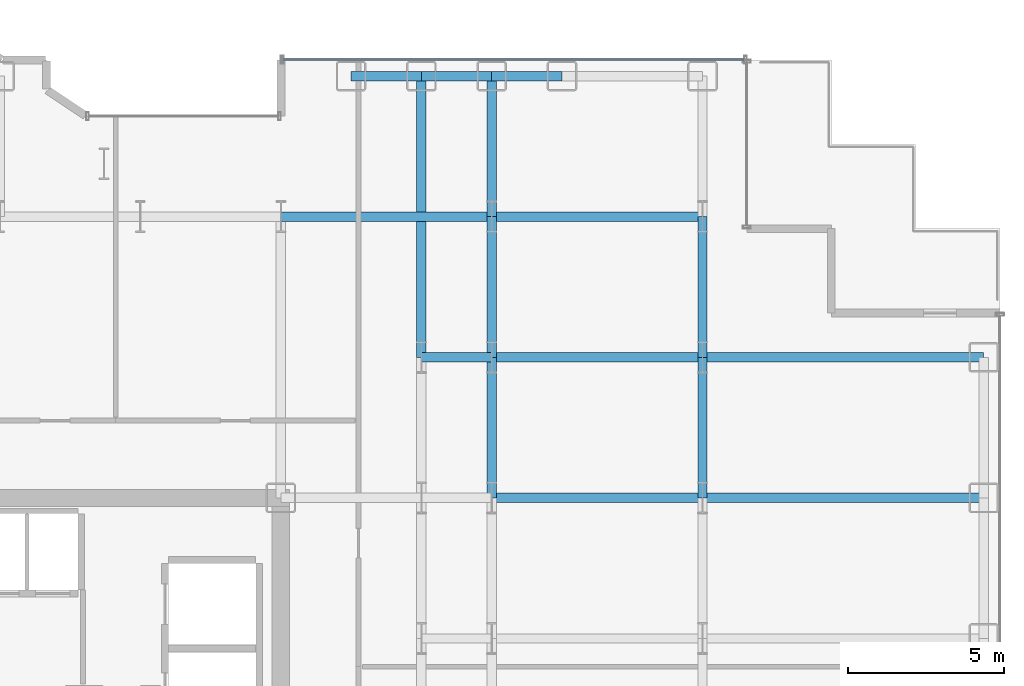
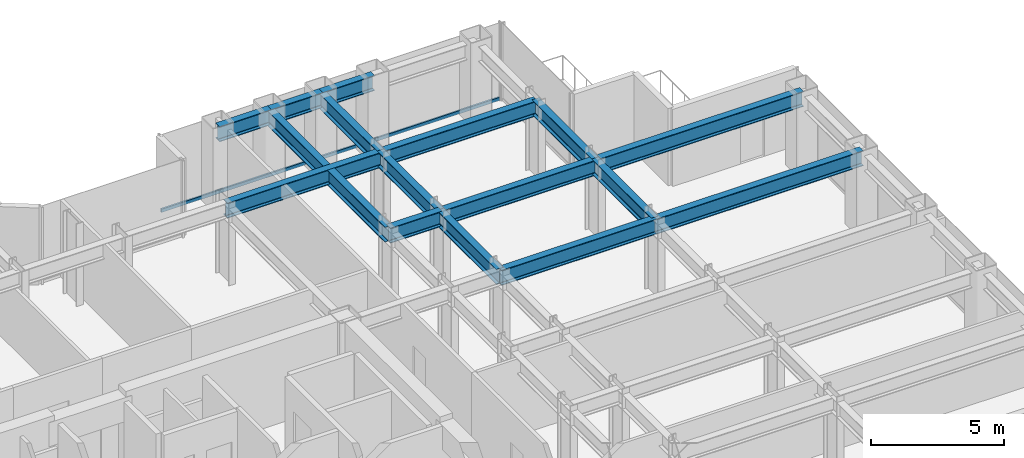
# One storey, part 13 of 26: 16 beams, 1 member, 1 element without a shape of its own.
"""IFC4 building model written with IfcOpenShell, lengths in metres."""

from ifc_helpers import new_model, si_unit, direction, frame, origin, origin_2d, place, context, subcontext, project, spatial, hollow_rectangle, i_section, extrude, source, transform, mapped, material, layer, layer_set, material_profile, profile_set, type_object, element, aggregate, save


model = new_model("IFC4")

# Units and contexts
model_context = context("Model", 3, precision=1e-05, world=origin(), true_north=direction((0.0, 1.0)))
body_context = subcontext(model_context, "Body", "Model", "MODEL_VIEW")
ifc_project = project(units=[si_unit("LENGTHUNIT", "METRE"), si_unit("AREAUNIT", "SQUARE_METRE"), si_unit("VOLUMEUNIT", "CUBIC_METRE"), si_unit("PLANEANGLEUNIT", "RADIAN"), si_unit("MASSUNIT", "GRAM", prefix="KILO")], contexts=[model_context])

# Site, building, storey
site_placement = place(None, origin())
site = spatial("IfcSite", under=ifc_project, at=site_placement, CompositionType="ELEMENT")
building_placement = place(site_placement, origin())
building = spatial("IfcBuilding", under=site, at=building_placement, Name="Nefas-Gora Pilgrimage Tower", CompositionType="ELEMENT")
storey_placement = place(building_placement, frame((0.0, 0.0, 106.0)))
storey = spatial("IfcBuildingStorey", under=building, at=storey_placement, Name="L25", CompositionType="ELEMENT", Elevation=106.0)

# Beams
ifc_material_1 = material(Name="Steel S355", Category="steel")
ifc_material_profile_1 = material_profile(ifc_material_1, i_section(OverallWidth=0.300048828125, OverallDepth=0.699951171875, WebThickness=0.01708984375, FlangeThickness=0.031982421875, FilletRadius=0.027099609375, at=origin_2d()), Name="HEB 700")
ifc_profile_set_1 = profile_set([ifc_material_profile_1], Name="Steel S355")
beam_type_1 = type_object("IfcBeamType", Name="BM-GIR-HEB700", PredefinedType="BEAM", material=ifc_profile_set_1)
shared_shape_1 = source(origin(), body_context, "Body", "SweptSolid", [
    extrude(i_section(OverallWidth=0.300048828125, OverallDepth=0.699951171875, WebThickness=0.01708984375, FlangeThickness=0.031982421875, FilletRadius=0.027099609375, at=origin_2d()), origin(), (0.0, 0.0, 1.0), 9.0),
])
for number, where, z_axis, x_axis, name in (
    (1, (15.75, 13.5, 3.199951171875), (0.0, 1.0, 0.0), (-1.0, 0.0, 0.0), "L25 G-02 beam"),
    (2, (24.75, 9.0, 3.199951171875), (1.0, 0.0, 0.0), (0.0, 1.0, 0.0), "L25 G-02 beam"),
    (3, (24.75, 13.5, 3.199951171875), (1.0, 0.0, 0.0), (0.0, 1.0, 0.0), "L25 G-02 beam"),
):
    element("IfcBeam", number, at=place(storey_placement, frame(where, z_axis=z_axis, x_axis=x_axis)), inside=storey, type_object=beam_type_1, Name=name, PredefinedType="BEAM", context=body_context, shape_type="MappedRepresentation", body=[
        mapped(shared_shape_1, transform((0.0, 0.0, 0.0), x_axis=(1.0, 0.0, 0.0), y_axis=(0.0, 1.0, 0.0), z_axis=(0.0, 0.0, 1.0), scale=1.0)),
    ])
shared_shape_2 = source(origin(), body_context, "Body", "SweptSolid", [
    extrude(i_section(OverallWidth=0.300048828125, OverallDepth=0.699951171875, WebThickness=0.01708984375, FlangeThickness=0.031982421875, FilletRadius=0.027099609375, at=origin_2d()), origin(), (0.0, 0.0, 1.0), 4.5),
])
for number, where, z_axis, x_axis, name in (
    (4, (18.0, 9.0, 3.199951171875), (0.0, 1.0, 0.0), (-1.0, 0.0, 0.0), "L25 G-02 beam"),
    (5, (18.0, 13.5, 3.199951171875), (0.0, 1.0, 0.0), (-1.0, 0.0, 0.0), "L25 G-02 beam"),
    (6, (18.0, 18.0, 3.199951171875), (0.0, 1.0, 0.0), (-1.0, 0.0, 0.0), "L25 G-02 beam"),
    (7, (24.75, 9.0, 3.199951171875), (0.0, 1.0, 0.0), (-1.0, 0.0, 0.0), "L25 G-02 beam"),
    (8, (24.75, 13.5, 3.199951171875), (0.0, 1.0, 0.0), (-1.0, 0.0, 0.0), "L25 G-02 beam"),
):
    element("IfcBeam", number, at=place(storey_placement, frame(where, z_axis=z_axis, x_axis=x_axis)), inside=storey, type_object=beam_type_1, Name=name, PredefinedType="BEAM", context=body_context, shape_type="MappedRepresentation", body=[
        mapped(shared_shape_2, transform((0.0, 0.0, 0.0), x_axis=(1.0, 0.0, 0.0), y_axis=(0.0, 1.0, 0.0), z_axis=(0.0, 0.0, 1.0), scale=1.0)),
    ])
shared_shape_3 = source(origin(), body_context, "Body", "SweptSolid", [
    extrude(i_section(OverallWidth=0.300048828125, OverallDepth=0.699951171875, WebThickness=0.01708984375, FlangeThickness=0.031982421875, FilletRadius=0.027099609375, at=origin_2d()), origin(), (0.0, 0.0, 1.0), 6.75),
])
for number, where, z_axis, x_axis, name in (
    (9, (11.25, 18.0, 3.199951171875), (1.0, 0.0, 0.0), (0.0, 1.0, 0.0), "L25 G-02 beam"),
    (10, (18.0, 9.0, 3.199951171875), (1.0, 0.0, 0.0), (0.0, 1.0, 0.0), "L25 G-02 beam"),
    (11, (18.0, 13.5, 3.199951171875), (1.0, 0.0, 0.0), (0.0, 1.0, 0.0), "L25 G-02 beam"),
    (12, (18.0, 18.0, 3.199951171875), (1.0, 0.0, 0.0), (0.0, 1.0, 0.0), "L25 G-02 beam"),
):
    element("IfcBeam", number, at=place(storey_placement, frame(where, z_axis=z_axis, x_axis=x_axis)), inside=storey, type_object=beam_type_1, Name=name, PredefinedType="BEAM", context=body_context, shape_type="MappedRepresentation", body=[
        mapped(shared_shape_3, transform((0.0, 0.0, 0.0), x_axis=(1.0, 0.0, 0.0), y_axis=(0.0, 1.0, 0.0), z_axis=(0.0, 0.0, 1.0), scale=1.0)),
    ])
ifc_material_profile_2 = material_profile(ifc_material_1, i_section(OverallWidth=0.300048828125, OverallDepth=0.699951171875, WebThickness=0.01708984375, FlangeThickness=0.031982421875, FilletRadius=0.027099609375, at=origin_2d()), Name="HEB 700")
ifc_profile_set_2 = profile_set([ifc_material_profile_2], Name="Steel S355")
beam_type_2 = type_object("IfcBeamType", Name="BM-SPN-HEB600", PredefinedType="SPANDREL", material=ifc_profile_set_2)
shared_shape_4 = source(origin(), body_context, "Body", "SweptSolid", [
    extrude(i_section(OverallWidth=0.300048828125, OverallDepth=0.699951171875, WebThickness=0.01708984375, FlangeThickness=0.031982421875, FilletRadius=0.027099609375, at=origin_2d()), origin(), (0.0, 0.0, 1.0), 2.25),
])
for number, where, z_axis, x_axis, name in (
    (13, (13.5, 22.5, 3.199951171875), (1.0, 0.0, 0.0), (0.0, 1.0, 0.0), "L25 SP-01 beam"),
    (14, (15.75, 22.5, 3.199951171875), (1.0, 0.0, 0.0), (0.0, 1.0, 0.0), "L25 SP-01 beam"),
    (15, (18.0, 22.5, 3.199951171875), (1.0, 0.0, 0.0), (0.0, 1.0, 0.0), "L25 SP-01 beam"),
):
    element("IfcBeam", number, at=place(storey_placement, frame(where, z_axis=z_axis, x_axis=x_axis)), inside=storey, type_object=beam_type_2, Name=name, PredefinedType="SPANDREL", context=body_context, shape_type="MappedRepresentation", body=[
        mapped(shared_shape_4, transform((0.0, 0.0, 0.0), x_axis=(1.0, 0.0, 0.0), y_axis=(0.0, 1.0, 0.0), z_axis=(0.0, 0.0, 1.0), scale=1.0)),
    ])
shared_shape_5 = source(origin(), body_context, "Body", "SweptSolid", [
    extrude(i_section(OverallWidth=0.300048828125, OverallDepth=0.699951171875, WebThickness=0.01708984375, FlangeThickness=0.031982421875, FilletRadius=0.027099609375, at=origin_2d()), origin(), (0.0, 0.0, 1.0), 2.25),
])
beam_placement = place(storey_placement, frame((15.75, 13.5, 3.199951171875), z_axis=(1.0, 0.0, 0.0), x_axis=(0.0, 1.0, 0.0)))
element("IfcBeam", 16, at=beam_placement, inside=storey, type_object=beam_type_1, Name="L25 G-02 beam", PredefinedType="BEAM", context=body_context, shape_type="MappedRepresentation", body=[
    mapped(shared_shape_5, transform((0.0, 0.0, 0.0), x_axis=(1.0, 0.0, 0.0), y_axis=(0.0, 1.0, 0.0), z_axis=(0.0, 0.0, 1.0), scale=1.0)),
])

# Curtain wall, member
ifc_material_2 = material(Name="Dark ceramic-fritted solar-control aluminium-glass curtain wall", Category="aluminium")
ifc_layer = layer(ifc_material_2, 0.219970703125)
ifc_layer_set = layer_set([ifc_layer], Name="Dark ceramic-fritted solar-control aluminium-glass curtain wall")
curtain_wall_type = type_object("IfcCurtainWallType", Name="CW-SYS-2", PredefinedType="NOTDEFINED", material=ifc_layer_set)
curtain_wall_placement = place(storey_placement, origin())
curtain_wall = element("IfcCurtainWall", 17, at=curtain_wall_placement, inside=storey, type_object=curtain_wall_type, Name="L25 Unitised Curtain Wall CW2", PredefinedType="NOTDEFINED")
ifc_material_3 = material(Name="Anodised architectural aluminium", Category="aluminium")
ifc_material_profile_3 = material_profile(ifc_material_3, hollow_rectangle(XDim=0.080078125, YDim=0.159912109375, WallThickness=0.00439453125, InnerFilletRadius=0.00439453125, OuterFilletRadius=0.009033203125, at=origin_2d()), Name="ALU TRANSOM 80x160")
ifc_profile_set_3 = profile_set([ifc_material_profile_3], Name="Anodised architectural aluminium")
member_type = type_object("IfcMemberType", Name="CWM-TRN-2", PredefinedType="USERDEFINED", material=ifc_profile_set_3)
shared_shape_6 = source(origin(), body_context, "Body", "SweptSolid", [
    extrude(hollow_rectangle(XDim=0.080078125, YDim=0.159912109375, WallThickness=0.00439453125, InnerFilletRadius=0.00439453125, OuterFilletRadius=0.009033203125, at=origin_2d()), origin(), (0.0, 0.0, 1.0), 14.739990234375),
])
member_placement = place(storey_placement, frame((26.080078125, 23.02001953125, 0.050048828125), z_axis=(-1.0, 0.0, 0.0), x_axis=(0.0, -1.0, 0.0)))
member = element("IfcMember", 18, at=member_placement, type_object=member_type, Name="CW2 Spandrel Transom", ObjectType="TRANSOM", PredefinedType="USERDEFINED", context=body_context, shape_type="MappedRepresentation", body=[
    mapped(shared_shape_6, transform((0.0, 0.0, 0.0), x_axis=(1.0, 0.0, 0.0), y_axis=(0.0, 1.0, 0.0), z_axis=(0.0, 0.0, 1.0), scale=1.0)),
])
aggregate(curtain_wall, [member])

save(model, "model.ifc")
